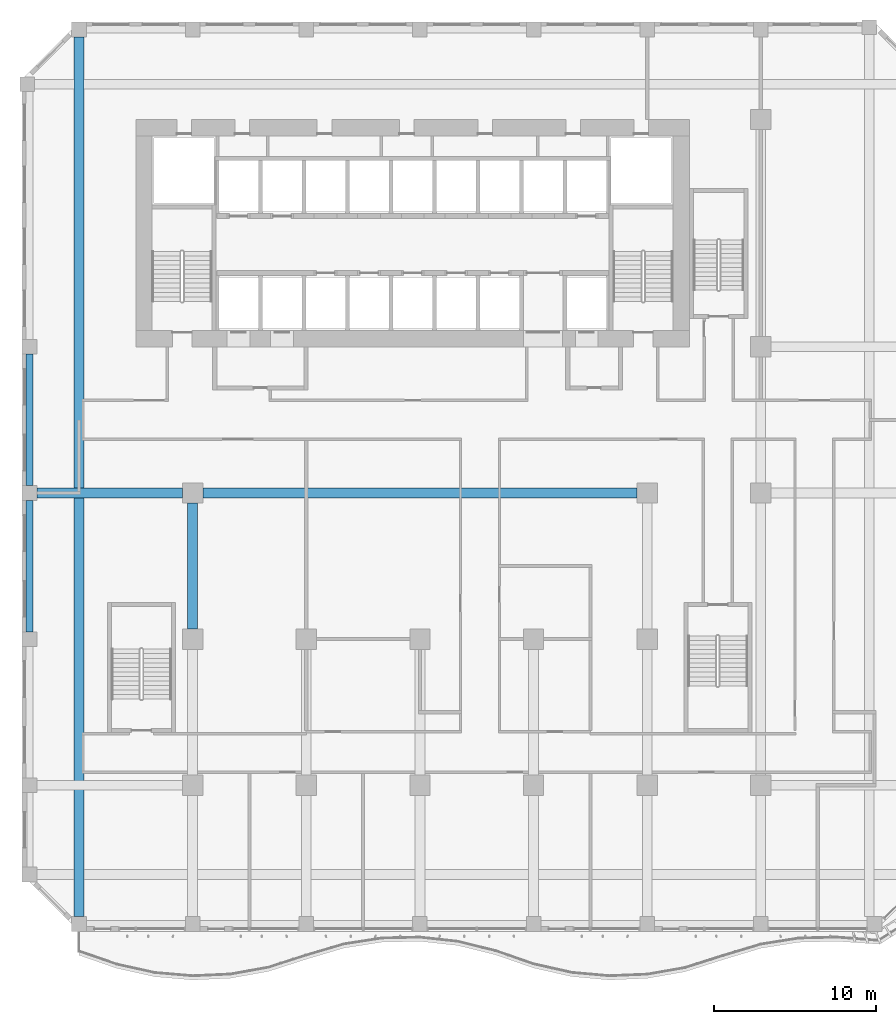
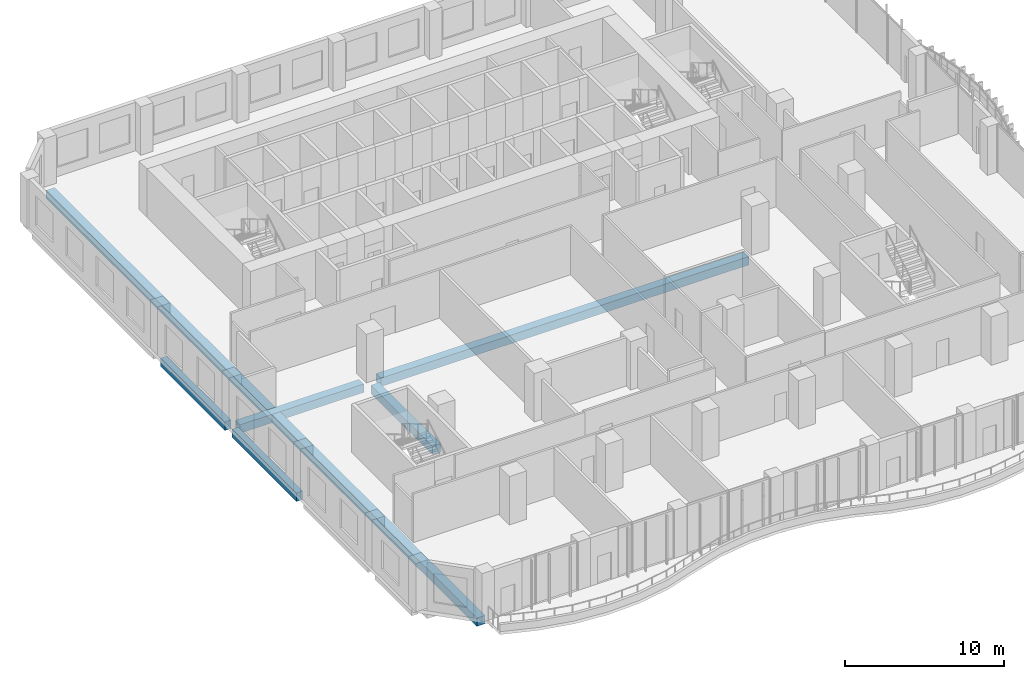
# One storey, part 5 of 28: 6 beams.
"""IFC4 building model written with IfcOpenShell, lengths in metres."""

from ifc_helpers import new_model, si_unit, direction, frame, origin, origin_2d, place, context, subcontext, project, spatial, rectangle, extrude, source, transform, mapped, material, material_profile, profile_set, type_object, element, save


model = new_model("IFC4")

# Units and contexts
model_context = context("Model", 3, precision=1e-05, world=origin(), true_north=direction((0.0, 1.0)))
body_context = subcontext(model_context, "Body", "Model", "MODEL_VIEW")
ifc_project = project(units=[si_unit("LENGTHUNIT", "METRE"), si_unit("AREAUNIT", "SQUARE_METRE"), si_unit("VOLUMEUNIT", "CUBIC_METRE"), si_unit("PLANEANGLEUNIT", "RADIAN"), si_unit("MASSUNIT", "GRAM", prefix="KILO")], contexts=[model_context])

# Site, building, storey
site_placement = place(None, origin())
site = spatial("IfcSite", under=ifc_project, at=site_placement, CompositionType="ELEMENT")
building_placement = place(site_placement, origin())
building = spatial("IfcBuilding", under=site, at=building_placement, Name="Kilnfold Tower and Market Hall", CompositionType="ELEMENT")
storey_placement = place(building_placement, frame((0.0, 0.0, 75.199951171875)))
storey = spatial("IfcBuildingStorey", under=building, at=storey_placement, Name="L17", CompositionType="ELEMENT", Elevation=75.199951171875)

# Beams
ifc_material_1 = material(Name="Concrete C45", Category="concrete")
ifc_material_profile_1 = material_profile(ifc_material_1, rectangle(XDim=0.449951171875, YDim=0.64990234375, at=origin_2d()), Name="RC 450x650")
ifc_profile_set_1 = profile_set([ifc_material_profile_1], Name="Concrete C45")
beam_type_1 = type_object("IfcBeamType", Name="EDGE BEAM 450X650 C45", PredefinedType="BEAM", material=ifc_profile_set_1)
shared_shape_1 = source(origin(), body_context, "Body", "SweptSolid", [
    extrude(rectangle(XDim=0.449951171875, YDim=0.64990234375, at=origin_2d()), origin(), (0.0, 0.0, 1.0), 8.10009765625),
])
for number, where, z_axis, x_axis, name in (
    (1, (-22.550048828125, -9.550048828125, -0.60498046875), (0.0, 1.0, 0.0), (-1.0, 0.0, 0.0), "Beam EB650-B2.39"),
    (2, (-22.550048828125, -0.550048828125, -0.60498046875), (0.0, 1.0, 0.0), (-1.0, 0.0, 0.0), "Beam EB650-B2.40"),
):
    element("IfcBeam", number, at=place(storey_placement, frame(where, z_axis=z_axis, x_axis=x_axis)), inside=storey, type_object=beam_type_1, Name=name, PredefinedType="BEAM", context=body_context, shape_type="MappedRepresentation", body=[
        mapped(shared_shape_1, transform((0.0, 0.0, 0.0))),
    ])
ifc_material_2 = material(Name="Concrete C45", Category="concrete")
ifc_material_profile_2 = material_profile(ifc_material_2, rectangle(XDim=0.60009765625, YDim=0.64990234375, at=origin_2d()), Name="RC 600x650")
ifc_profile_set_2 = profile_set([ifc_material_profile_2], Name="Concrete C45")
beam_type_2 = type_object("IfcBeamType", Name="BEAM 600X650 C45", PredefinedType="BEAM", material=ifc_profile_set_2)
shared_shape_2 = source(origin(), body_context, "Body", "SweptSolid", [
    extrude(rectangle(XDim=0.60009765625, YDim=0.64990234375, at=origin_2d()), origin(), (0.0, 0.0, 1.0), 54.2001953125),
])
beam_1_placement = place(storey_placement, frame((-19.5, -27.10009765625, -0.60498046875), z_axis=(0.0, 1.0, 0.0), x_axis=(-1.0, 0.0, 0.0)))
element("IfcBeam", 3, at=beam_1_placement, inside=storey, type_object=beam_type_2, Name="Beam BB650-B2.42", PredefinedType="BEAM", context=body_context, shape_type="MappedRepresentation", body=[
    mapped(shared_shape_2, transform((0.0, 0.0, 0.0))),
])
shared_shape_3 = source(origin(), body_context, "Body", "SweptSolid", [
    extrude(rectangle(XDim=0.60009765625, YDim=0.64990234375, at=origin_2d()), origin(), (0.0, 0.0, 1.0), 8.97509765625),
])
beam_2_placement = place(storey_placement, frame((-22.10009765625, -1.0, -0.60498046875), z_axis=(1.0, 0.0, 0.0), x_axis=(0.0, 1.0, 0.0)))
element("IfcBeam", 4, at=beam_2_placement, inside=storey, type_object=beam_type_2, Name="Beam BB650-B2.70", PredefinedType="BEAM", context=body_context, shape_type="MappedRepresentation", body=[
    mapped(shared_shape_3, transform((0.0, 0.0, 0.0))),
])
shared_shape_4 = source(origin(), body_context, "Body", "SweptSolid", [
    extrude(rectangle(XDim=0.60009765625, YDim=0.64990234375, at=origin_2d()), origin(), (0.0, 0.0, 1.0), 26.75),
])
beam_3_placement = place(storey_placement, frame((-11.875, -1.0, -0.60498046875), z_axis=(1.0, 0.0, 0.0), x_axis=(0.0, 1.0, 0.0)))
element("IfcBeam", 5, at=beam_3_placement, inside=storey, type_object=beam_type_2, Name="Beam BB650-B2.71", PredefinedType="BEAM", context=body_context, shape_type="MappedRepresentation", body=[
    mapped(shared_shape_4, transform((0.0, 0.0, 0.0))),
])
shared_shape_5 = source(origin(), body_context, "Body", "SweptSolid", [
    extrude(rectangle(XDim=0.60009765625, YDim=0.64990234375, at=origin_2d()), origin(), (0.0, 0.0, 1.0), 7.75),
])
beam_4_placement = place(storey_placement, frame((-12.5, -9.375, -0.60498046875), z_axis=(0.0, 1.0, 0.0), x_axis=(-1.0, 0.0, 0.0)))
element("IfcBeam", 6, at=beam_4_placement, inside=storey, type_object=beam_type_2, Name="Beam BB650-B2.84", PredefinedType="BEAM", context=body_context, shape_type="MappedRepresentation", body=[
    mapped(shared_shape_5, transform((0.0, 0.0, 0.0))),
])

save(model, "model.ifc")
